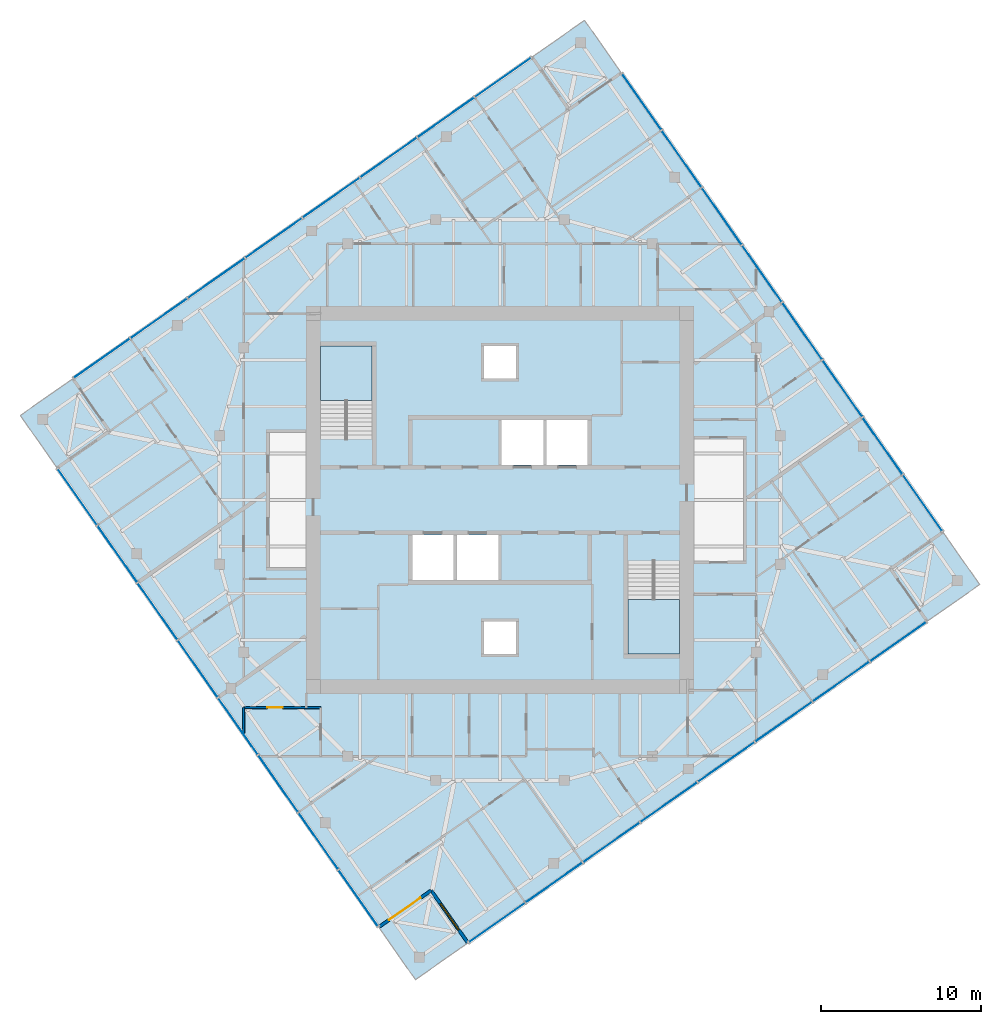
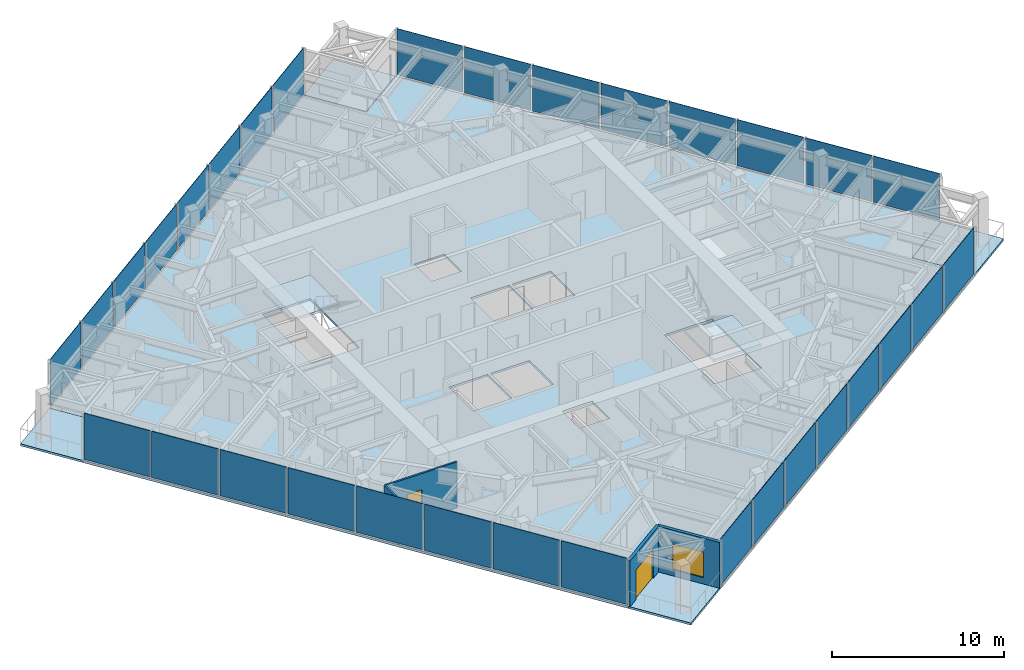
# One storey, part 6 of 12: 32 plates, 7 slabs, 4 walls, 2 doors, 1 window, 3 openings, 6 elements without a shape of their own.
"""IFC4 building model written with IfcOpenShell, lengths in metres."""

from ifc_helpers import new_model, si_unit, direction, frame, frame_2d, origin, origin_2d, place, context, subcontext, project, spatial, polyline, rectangle, outline, extrude, material, layer, layer_set, type_object, element, fill, aggregate, save


model = new_model("IFC4")

# Units and contexts
model_context = context("Model", 3, precision=1e-05, world=origin(), true_north=direction((0.0, 1.0)))
body_context = subcontext(model_context, "Body", "Model", "MODEL_VIEW")
ifc_project = project(units=[si_unit("LENGTHUNIT", "METRE"), si_unit("AREAUNIT", "SQUARE_METRE"), si_unit("VOLUMEUNIT", "CUBIC_METRE"), si_unit("PLANEANGLEUNIT", "RADIAN"), si_unit("MASSUNIT", "GRAM", prefix="KILO")], contexts=[model_context])

# Site, building, storey
site_placement = place(None, origin())
site = spatial("IfcSite", under=ifc_project, at=site_placement, CompositionType="ELEMENT")
building_placement = place(site_placement, origin())
building = spatial("IfcBuilding", under=site, at=building_placement, Name="Torsade Residences", CompositionType="ELEMENT")
storey_placement = place(building_placement, frame((0.0, 0.0, 250.60009765625)))
storey = spatial("IfcBuildingStorey", under=building, at=storey_placement, Name="L69", CompositionType="ELEMENT", Elevation=250.60009765625)

# Slab
ifc_material_1 = material(Name="Concrete 40 MPa", Category="concrete")
ifc_layer_1 = layer(ifc_material_1, 0.14990234375)
ifc_layer_set_1 = layer_set([ifc_layer_1], Name="Concrete 40 MPa")
slab_type_1 = type_object("IfcSlabType", Name="COMPOSITE FLOOR SLAB 150", PredefinedType="FLOOR", material=ifc_layer_set_1)
slab_1_placement = place(storey_placement, frame((0.0, 0.0, -0.150146484375)))
element("IfcSlab", 1, at=slab_1_placement, inside=storey, type_object=slab_type_1, Name="Floor slab L69", PredefinedType="FLOOR", context=body_context, shape_type="SweptSolid", body=[
    extrude(outline(polyline([(37.996826171875, 2.3505859375), (66.6669921875, 22.42578125), (64.372802734375, 25.702392578125), (67.6494140625, 27.996826171875), (47.57421875, 56.6669921875), (44.297607421875, 54.372802734375), (42.003173828125, 57.6494140625), (13.3330078125, 37.57421875), (15.627197265625, 34.297607421875), (12.3505859375, 32.003173828125), (32.42578125, 3.3330078125), (35.702392578125, 5.627197265625), (37.996826171875, 2.3505859375)]), holes=[polyline([(51.199951171875, 26.1201171875), (48.0, 26.1201171875), (48.0, 20.39990234375), (51.199951171875, 20.39990234375), (51.199951171875, 26.1201171875)]), polyline([(45.5, 35.0), (42.89990234375, 35.0), (42.89990234375, 32.199951171875), (45.5, 32.199951171875), (45.5, 35.0)]), polyline([(42.699951171875, 35.0), (40.10009765625, 35.0), (40.10009765625, 32.199951171875), (42.699951171875, 32.199951171875), (42.699951171875, 35.0)]), polyline([(41.0, 22.39990234375), (39.0, 22.39990234375), (39.0, 20.39990234375), (41.0, 20.39990234375), (41.0, 22.39990234375)]), polyline([(41.0, 39.60009765625), (39.0, 39.60009765625), (39.0, 37.60009765625), (41.0, 37.60009765625), (41.0, 39.60009765625)]), polyline([(39.89990234375, 27.800048828125), (37.300048828125, 27.800048828125), (37.300048828125, 25.0), (39.89990234375, 25.0), (39.89990234375, 27.800048828125)]), polyline([(37.10009765625, 27.800048828125), (34.5, 27.800048828125), (34.5, 25.0), (37.10009765625, 25.0), (37.10009765625, 27.800048828125)]), polyline([(32.0, 39.60009765625), (28.800048828125, 39.60009765625), (28.800048828125, 33.8798828125), (32.0, 33.8798828125), (32.0, 39.60009765625)])]), origin(), (0.0, 0.0, 1.0), 0.150146484375),
])

# Curtain wall, plates
ifc_material_2 = material(Name="Aluminium and glass", Category="aluminium")
curtain_wall_type = type_object("IfcCurtainWallType", Name="FRITTED GLASS CURTAIN WALL HIGH ZONE", PredefinedType="NOTDEFINED", material=ifc_material_2)
curtain_wall_1_placement = place(storey_placement, origin())
curtain_wall_1 = element("IfcCurtainWall", 2, at=curtain_wall_1_placement, inside=storey, type_object=curtain_wall_type, Name="Curtain wall L69 face 1", PredefinedType="NOTDEFINED")
ifc_material_3 = material(Name="Laminated glass", Category="glass")
ifc_layer_2 = layer(ifc_material_3, 0.031982421875)
ifc_layer_set_2 = layer_set([ifc_layer_2], Name="Laminated glass")
plate_type_1 = type_object("IfcPlateType", Name="FRITTED GLASS PANEL", PredefinedType="CURTAIN_PANEL", material=ifc_layer_set_2)
plate_1_placement = place(storey_placement, frame((39.80908203125, 3.61962890625, 0.1201171875), z_axis=(0.0, 0.0, 1.0), x_axis=(0.819152029353, 0.573576457682, 0.0)))
plate_1 = element("IfcPlate", 3, at=plate_1_placement, type_object=plate_type_1, Name="Panel 1", PredefinedType="CURTAIN_PANEL", context=body_context, shape_type="SweptSolid", body=[
    extrude(rectangle(XDim=4.22509765625, YDim=0.031982421875, at=origin_2d()), origin(), (0.0, 0.0, 1.0), 3.280029296875),
])
plate_2_placement = place(storey_placement, frame((46.956298828125, 8.6240234375, 0.1201171875), z_axis=(0.0, 0.0, 1.0), x_axis=(0.819152029353, 0.573576457682, 0.0)))
plate_2 = element("IfcPlate", 4, at=plate_2_placement, type_object=plate_type_1, Name="Panel 3", PredefinedType="CURTAIN_PANEL", context=body_context, shape_type="SweptSolid", body=[
    extrude(rectangle(XDim=4.27490234375, YDim=0.031982421875, at=origin_2d()), origin(), (0.0, 0.0, 1.0), 3.280029296875),
])
plate_3_placement = place(storey_placement, frame((50.5400390625, 11.133544921875, 0.1201171875), z_axis=(0.0, 0.0, 1.0), x_axis=(0.819152029353, 0.573576457682, 0.0)))
plate_3 = element("IfcPlate", 5, at=plate_3_placement, type_object=plate_type_1, Name="Panel 4", PredefinedType="CURTAIN_PANEL", context=body_context, shape_type="SweptSolid", body=[
    extrude(rectangle(XDim=4.27490234375, YDim=0.031982421875, at=origin_2d()), origin(), (0.0, 0.0, 1.0), 3.280029296875),
])
plate_4_placement = place(storey_placement, frame((54.123779296875, 13.642822265625, 0.1201171875), z_axis=(0.0, 0.0, 1.0), x_axis=(0.819152029353, 0.573576457682, 0.0)))
plate_4 = element("IfcPlate", 6, at=plate_4_placement, type_object=plate_type_1, Name="Panel 5", PredefinedType="CURTAIN_PANEL", context=body_context, shape_type="SweptSolid", body=[
    extrude(rectangle(XDim=4.27490234375, YDim=0.031982421875, at=origin_2d()), origin(), (0.0, 0.0, 1.0), 3.280029296875),
])
plate_5_placement = place(storey_placement, frame((61.291259765625, 18.66162109375, 0.1201171875), z_axis=(0.0, 0.0, 1.0), x_axis=(0.819152029353, 0.573576457682, 0.0)))
plate_5 = element("IfcPlate", 7, at=plate_5_placement, type_object=plate_type_1, Name="Panel 7", PredefinedType="CURTAIN_PANEL", context=body_context, shape_type="SweptSolid", body=[
    extrude(rectangle(XDim=4.27490234375, YDim=0.031982421875, at=origin_2d()), origin(), (0.0, 0.0, 1.0), 3.280029296875),
])
plate_6_placement = place(storey_placement, frame((64.854736328125, 21.15673828125, 0.1201171875), z_axis=(0.0, 0.0, 1.0), x_axis=(0.819152029353, 0.573576457682, 0.0)))
plate_6 = element("IfcPlate", 8, at=plate_6_placement, type_object=plate_type_1, Name="Panel 8", PredefinedType="CURTAIN_PANEL", context=body_context, shape_type="SweptSolid", body=[
    extrude(rectangle(XDim=4.22509765625, YDim=0.031982421875, at=origin_2d()), origin(), (0.0, 0.0, 1.0), 3.280029296875),
])

curtain_wall_2_placement = place(storey_placement, origin())
curtain_wall_2 = element("IfcCurtainWall", 9, at=curtain_wall_2_placement, inside=storey, type_object=curtain_wall_type, Name="Curtain wall L69 face 4", PredefinedType="NOTDEFINED")
plate_7_placement = place(storey_placement, frame((66.38037109375, 29.80908203125, 0.1201171875), z_axis=(0.0, 0.0, 1.0), x_axis=(-0.573576457682, 0.819152029353, 0.0)))
plate_7 = element("IfcPlate", 10, at=plate_7_placement, type_object=plate_type_1, Name="Panel 1", PredefinedType="CURTAIN_PANEL", context=body_context, shape_type="SweptSolid", body=[
    extrude(rectangle(XDim=4.22509765625, YDim=0.031982421875, at=origin_2d()), origin(), (0.0, 0.0, 1.0), 3.280029296875),
])
plate_8_placement = place(storey_placement, frame((61.3759765625, 36.956298828125, 0.1201171875), z_axis=(0.0, 0.0, 1.0), x_axis=(-0.573576457682, 0.819152029353, 0.0)))
plate_8 = element("IfcPlate", 11, at=plate_8_placement, type_object=plate_type_1, Name="Panel 3", PredefinedType="CURTAIN_PANEL", context=body_context, shape_type="SweptSolid", body=[
    extrude(rectangle(XDim=4.27490234375, YDim=0.031982421875, at=origin_2d()), origin(), (0.0, 0.0, 1.0), 3.280029296875),
])
plate_9_placement = place(storey_placement, frame((58.866455078125, 40.5400390625, 0.1201171875), z_axis=(0.0, 0.0, 1.0), x_axis=(-0.573576457682, 0.819152029353, 0.0)))
plate_9 = element("IfcPlate", 12, at=plate_9_placement, type_object=plate_type_1, Name="Panel 4", PredefinedType="CURTAIN_PANEL", context=body_context, shape_type="SweptSolid", body=[
    extrude(rectangle(XDim=4.27490234375, YDim=0.031982421875, at=origin_2d()), origin(), (0.0, 0.0, 1.0), 3.280029296875),
])
plate_10_placement = place(storey_placement, frame((56.357177734375, 44.123779296875, 0.1201171875), z_axis=(0.0, 0.0, 1.0), x_axis=(-0.573576457682, 0.819152029353, 0.0)))
plate_10 = element("IfcPlate", 13, at=plate_10_placement, type_object=plate_type_1, Name="Panel 5", PredefinedType="CURTAIN_PANEL", context=body_context, shape_type="SweptSolid", body=[
    extrude(rectangle(XDim=4.27490234375, YDim=0.031982421875, at=origin_2d()), origin(), (0.0, 0.0, 1.0), 3.280029296875),
])
plate_11_placement = place(storey_placement, frame((51.33837890625, 51.291259765625, 0.1201171875), z_axis=(0.0, 0.0, 1.0), x_axis=(-0.573576457682, 0.819152029353, 0.0)))
plate_11 = element("IfcPlate", 14, at=plate_11_placement, type_object=plate_type_1, Name="Panel 7", PredefinedType="CURTAIN_PANEL", context=body_context, shape_type="SweptSolid", body=[
    extrude(rectangle(XDim=4.27490234375, YDim=0.031982421875, at=origin_2d()), origin(), (0.0, 0.0, 1.0), 3.280029296875),
])
plate_12_placement = place(storey_placement, frame((48.84326171875, 54.854736328125, 0.1201171875), z_axis=(0.0, 0.0, 1.0), x_axis=(-0.573576457682, 0.819152029353, 0.0)))
plate_12 = element("IfcPlate", 15, at=plate_12_placement, type_object=plate_type_1, Name="Panel 8", PredefinedType="CURTAIN_PANEL", context=body_context, shape_type="SweptSolid", body=[
    extrude(rectangle(XDim=4.22509765625, YDim=0.031982421875, at=origin_2d()), origin(), (0.0, 0.0, 1.0), 3.280029296875),
])

curtain_wall_3_placement = place(storey_placement, origin())
curtain_wall_3 = element("IfcCurtainWall", 16, at=curtain_wall_3_placement, inside=storey, type_object=curtain_wall_type, Name="Curtain wall L69 face 7", PredefinedType="NOTDEFINED")
plate_13_placement = place(storey_placement, frame((40.19091796875, 56.38037109375, 0.1201171875), z_axis=(0.0, 0.0, 1.0), x_axis=(-0.819152029353, -0.573576457682, 0.0)))
plate_13 = element("IfcPlate", 17, at=plate_13_placement, type_object=plate_type_1, Name="Panel 1", PredefinedType="CURTAIN_PANEL", context=body_context, shape_type="SweptSolid", body=[
    extrude(rectangle(XDim=4.22509765625, YDim=0.031982421875, at=origin_2d()), origin(), (0.0, 0.0, 1.0), 3.280029296875),
])
plate_14_placement = place(storey_placement, frame((33.043701171875, 51.3759765625, 0.1201171875), z_axis=(0.0, 0.0, 1.0), x_axis=(-0.819152029353, -0.573576457682, 0.0)))
plate_14 = element("IfcPlate", 18, at=plate_14_placement, type_object=plate_type_1, Name="Panel 3", PredefinedType="CURTAIN_PANEL", context=body_context, shape_type="SweptSolid", body=[
    extrude(rectangle(XDim=4.27490234375, YDim=0.031982421875, at=origin_2d()), origin(), (0.0, 0.0, 1.0), 3.280029296875),
])
plate_15_placement = place(storey_placement, frame((29.4599609375, 48.866455078125, 0.1201171875), z_axis=(0.0, 0.0, 1.0), x_axis=(-0.819152029353, -0.573576457682, 0.0)))
plate_15 = element("IfcPlate", 19, at=plate_15_placement, type_object=plate_type_1, Name="Panel 4", PredefinedType="CURTAIN_PANEL", context=body_context, shape_type="SweptSolid", body=[
    extrude(rectangle(XDim=4.27490234375, YDim=0.031982421875, at=origin_2d()), origin(), (0.0, 0.0, 1.0), 3.280029296875),
])
plate_16_placement = place(storey_placement, frame((25.876220703125, 46.357177734375, 0.1201171875), z_axis=(0.0, 0.0, 1.0), x_axis=(-0.819152029353, -0.573576457682, 0.0)))
plate_16 = element("IfcPlate", 20, at=plate_16_placement, type_object=plate_type_1, Name="Panel 5", PredefinedType="CURTAIN_PANEL", context=body_context, shape_type="SweptSolid", body=[
    extrude(rectangle(XDim=4.27490234375, YDim=0.031982421875, at=origin_2d()), origin(), (0.0, 0.0, 1.0), 3.280029296875),
])
plate_17_placement = place(storey_placement, frame((18.708740234375, 41.33837890625, 0.1201171875), z_axis=(0.0, 0.0, 1.0), x_axis=(-0.819152029353, -0.573576457682, 0.0)))
plate_17 = element("IfcPlate", 21, at=plate_17_placement, type_object=plate_type_1, Name="Panel 7", PredefinedType="CURTAIN_PANEL", context=body_context, shape_type="SweptSolid", body=[
    extrude(rectangle(XDim=4.27490234375, YDim=0.031982421875, at=origin_2d()), origin(), (0.0, 0.0, 1.0), 3.280029296875),
])
plate_18_placement = place(storey_placement, frame((15.145263671875, 38.84326171875, 0.1201171875), z_axis=(0.0, 0.0, 1.0), x_axis=(-0.819152029353, -0.573576457682, 0.0)))
plate_18 = element("IfcPlate", 22, at=plate_18_placement, type_object=plate_type_1, Name="Panel 8", PredefinedType="CURTAIN_PANEL", context=body_context, shape_type="SweptSolid", body=[
    extrude(rectangle(XDim=4.22509765625, YDim=0.031982421875, at=origin_2d()), origin(), (0.0, 0.0, 1.0), 3.280029296875),
])

curtain_wall_4_placement = place(storey_placement, origin())
curtain_wall_4 = element("IfcCurtainWall", 23, at=curtain_wall_4_placement, inside=storey, type_object=curtain_wall_type, Name="Curtain wall L69 face 10", PredefinedType="NOTDEFINED")
plate_19_placement = place(storey_placement, frame((13.61962890625, 30.19091796875, 0.1201171875), z_axis=(0.0, 0.0, 1.0), x_axis=(0.573576457682, -0.819152029353, 0.0)))
plate_19 = element("IfcPlate", 24, at=plate_19_placement, type_object=plate_type_1, Name="Panel 1", PredefinedType="CURTAIN_PANEL", context=body_context, shape_type="SweptSolid", body=[
    extrude(rectangle(XDim=4.22509765625, YDim=0.031982421875, at=origin_2d()), origin(), (0.0, 0.0, 1.0), 3.280029296875),
])
plate_20_placement = place(storey_placement, frame((18.6240234375, 23.043701171875, 0.1201171875), z_axis=(0.0, 0.0, 1.0), x_axis=(0.573576457682, -0.819152029353, 0.0)))
plate_20 = element("IfcPlate", 25, at=plate_20_placement, type_object=plate_type_1, Name="Panel 3", PredefinedType="CURTAIN_PANEL", context=body_context, shape_type="SweptSolid", body=[
    extrude(rectangle(XDim=4.27490234375, YDim=0.031982421875, at=origin_2d()), origin(), (0.0, 0.0, 1.0), 3.280029296875),
])
plate_21_placement = place(storey_placement, frame((21.133544921875, 19.4599609375, 0.1201171875), z_axis=(0.0, 0.0, 1.0), x_axis=(0.573576457682, -0.819152029353, 0.0)))
plate_21 = element("IfcPlate", 26, at=plate_21_placement, type_object=plate_type_1, Name="Panel 4", PredefinedType="CURTAIN_PANEL", context=body_context, shape_type="SweptSolid", body=[
    extrude(rectangle(XDim=4.27490234375, YDim=0.031982421875, at=origin_2d()), origin(), (0.0, 0.0, 1.0), 3.280029296875),
])
plate_22_placement = place(storey_placement, frame((23.642822265625, 15.876220703125, 0.1201171875), z_axis=(0.0, 0.0, 1.0), x_axis=(0.573576457682, -0.819152029353, 0.0)))
plate_22 = element("IfcPlate", 27, at=plate_22_placement, type_object=plate_type_1, Name="Panel 5", PredefinedType="CURTAIN_PANEL", context=body_context, shape_type="SweptSolid", body=[
    extrude(rectangle(XDim=4.27490234375, YDim=0.031982421875, at=origin_2d()), origin(), (0.0, 0.0, 1.0), 3.280029296875),
])
plate_23_placement = place(storey_placement, frame((28.66162109375, 8.708740234375, 0.1201171875), z_axis=(0.0, 0.0, 1.0), x_axis=(0.573576457682, -0.819152029353, 0.0)))
plate_23 = element("IfcPlate", 28, at=plate_23_placement, type_object=plate_type_1, Name="Panel 7", PredefinedType="CURTAIN_PANEL", context=body_context, shape_type="SweptSolid", body=[
    extrude(rectangle(XDim=4.27490234375, YDim=0.031982421875, at=origin_2d()), origin(), (0.0, 0.0, 1.0), 3.280029296875),
])
plate_24_placement = place(storey_placement, frame((31.15673828125, 5.145263671875, 0.1201171875), z_axis=(0.0, 0.0, 1.0), x_axis=(0.573576457682, -0.819152029353, 0.0)))
plate_24 = element("IfcPlate", 29, at=plate_24_placement, type_object=plate_type_1, Name="Panel 8", PredefinedType="CURTAIN_PANEL", context=body_context, shape_type="SweptSolid", body=[
    extrude(rectangle(XDim=4.22509765625, YDim=0.031982421875, at=origin_2d()), origin(), (0.0, 0.0, 1.0), 3.280029296875),
])

# Plate
ifc_material_4 = material(Name="Laminated glass", Category="glass")
ifc_layer_3 = layer(ifc_material_4, 0.0400390625)
ifc_layer_set_3 = layer_set([ifc_layer_3], Name="Laminated glass")
plate_type_2 = type_object("IfcPlateType", Name="OPERABLE VENT PANEL", PredefinedType="CURTAIN_PANEL", material=ifc_layer_set_3)
plate_25_placement = place(storey_placement, frame((43.372314453125, 6.11474609375, 0.1201171875), z_axis=(0.0, 0.0, 1.0), x_axis=(0.819152029353, 0.573576457682, 0.0)))
plate_25 = element("IfcPlate", 30, at=plate_25_placement, type_object=plate_type_2, Name="Panel 2", PredefinedType="CURTAIN_PANEL", context=body_context, shape_type="SweptSolid", body=[
    extrude(rectangle(XDim=4.27490234375, YDim=0.0400390625, at=origin_2d()), origin(), (0.0, 0.0, 1.0), 3.280029296875),
])

plate_26_placement = place(storey_placement, frame((57.70751953125, 16.15234375, 0.1201171875), z_axis=(0.0, 0.0, 1.0), x_axis=(0.819152029353, 0.573576457682, 0.0)))
plate_26 = element("IfcPlate", 31, at=plate_26_placement, type_object=plate_type_2, Name="Panel 6", PredefinedType="CURTAIN_PANEL", context=body_context, shape_type="SweptSolid", body=[
    extrude(rectangle(XDim=4.27490234375, YDim=0.0400390625, at=origin_2d()), origin(), (0.0, 0.0, 1.0), 3.280029296875),
])

aggregate(curtain_wall_1, [plate_1, plate_25, plate_2, plate_3, plate_4, plate_26, plate_5, plate_6])

plate_27_placement = place(storey_placement, frame((63.88525390625, 33.372314453125, 0.1201171875), z_axis=(0.0, 0.0, 1.0), x_axis=(-0.573576457682, 0.819152029353, 0.0)))
plate_27 = element("IfcPlate", 32, at=plate_27_placement, type_object=plate_type_2, Name="Panel 2", PredefinedType="CURTAIN_PANEL", context=body_context, shape_type="SweptSolid", body=[
    extrude(rectangle(XDim=4.27490234375, YDim=0.0400390625, at=origin_2d()), origin(), (0.0, 0.0, 1.0), 3.280029296875),
])

plate_28_placement = place(storey_placement, frame((53.84765625, 47.70751953125, 0.1201171875), z_axis=(0.0, 0.0, 1.0), x_axis=(-0.573576457682, 0.819152029353, 0.0)))
plate_28 = element("IfcPlate", 33, at=plate_28_placement, type_object=plate_type_2, Name="Panel 6", PredefinedType="CURTAIN_PANEL", context=body_context, shape_type="SweptSolid", body=[
    extrude(rectangle(XDim=4.27490234375, YDim=0.0400390625, at=origin_2d()), origin(), (0.0, 0.0, 1.0), 3.280029296875),
])

aggregate(curtain_wall_2, [plate_7, plate_27, plate_8, plate_9, plate_10, plate_28, plate_11, plate_12])

plate_29_placement = place(storey_placement, frame((36.627685546875, 53.88525390625, 0.1201171875), z_axis=(0.0, 0.0, 1.0), x_axis=(-0.819152029353, -0.573576457682, 0.0)))
plate_29 = element("IfcPlate", 34, at=plate_29_placement, type_object=plate_type_2, Name="Panel 2", PredefinedType="CURTAIN_PANEL", context=body_context, shape_type="SweptSolid", body=[
    extrude(rectangle(XDim=4.27490234375, YDim=0.0400390625, at=origin_2d()), origin(), (0.0, 0.0, 1.0), 3.280029296875),
])

plate_30_placement = place(storey_placement, frame((22.29248046875, 43.84765625, 0.1201171875), z_axis=(0.0, 0.0, 1.0), x_axis=(-0.819152029353, -0.573576457682, 0.0)))
plate_30 = element("IfcPlate", 35, at=plate_30_placement, type_object=plate_type_2, Name="Panel 6", PredefinedType="CURTAIN_PANEL", context=body_context, shape_type="SweptSolid", body=[
    extrude(rectangle(XDim=4.27490234375, YDim=0.0400390625, at=origin_2d()), origin(), (0.0, 0.0, 1.0), 3.280029296875),
])

aggregate(curtain_wall_3, [plate_13, plate_29, plate_14, plate_15, plate_16, plate_30, plate_17, plate_18])

plate_31_placement = place(storey_placement, frame((16.11474609375, 26.627685546875, 0.1201171875), z_axis=(0.0, 0.0, 1.0), x_axis=(0.573576457682, -0.819152029353, 0.0)))
plate_31 = element("IfcPlate", 36, at=plate_31_placement, type_object=plate_type_2, Name="Panel 2", PredefinedType="CURTAIN_PANEL", context=body_context, shape_type="SweptSolid", body=[
    extrude(rectangle(XDim=4.27490234375, YDim=0.0400390625, at=origin_2d()), origin(), (0.0, 0.0, 1.0), 3.280029296875),
])

plate_32_placement = place(storey_placement, frame((26.15234375, 12.29248046875, 0.1201171875), z_axis=(0.0, 0.0, 1.0), x_axis=(0.573576457682, -0.819152029353, 0.0)))
plate_32 = element("IfcPlate", 37, at=plate_32_placement, type_object=plate_type_2, Name="Panel 6", PredefinedType="CURTAIN_PANEL", context=body_context, shape_type="SweptSolid", body=[
    extrude(rectangle(XDim=4.27490234375, YDim=0.0400390625, at=origin_2d()), origin(), (0.0, 0.0, 1.0), 3.280029296875),
])

aggregate(curtain_wall_4, [plate_19, plate_31, plate_20, plate_21, plate_22, plate_32, plate_23, plate_24])

# Stair, slab
ifc_material_5 = material(Name="Precast concrete 40 MPa", Category="concrete")
stair_type = type_object("IfcStairType", Name="HALF-TURN FIRE STAIR 1500x3400", PredefinedType="HALF_TURN_STAIR", material=ifc_material_5)
stair_1_placement = place(storey_placement, origin())
stair_1 = element("IfcStair", 38, at=stair_1_placement, inside=storey, type_object=stair_type, Name="Stair ST1 L69", PredefinedType="HALF_TURN_STAIR")
ifc_material_6 = material(Name="Precast concrete 40 MPa", Category="concrete")
ifc_layer_4 = layer(ifc_material_6, 0.179931640625)
ifc_layer_set_4 = layer_set([ifc_layer_4], Name="Precast concrete 40 MPa")
slab_type_2 = type_object("IfcSlabType", Name="PRECAST STAIR LANDING 180", PredefinedType="LANDING", material=ifc_layer_set_4)
slab_2_placement = place(storey_placement, frame((0.0, 0.0, 1.52001953125)))
slab_2 = element("IfcSlab", 39, at=slab_2_placement, type_object=slab_type_2, Name="ST1 landing 1", PredefinedType="LANDING", context=body_context, shape_type="SweptSolid", body=[
    extrude(outline(polyline([(28.800048828125, 36.2099609375), (32.0, 36.2099609375), (32.0, 39.60009765625), (28.800048828125, 39.60009765625), (28.800048828125, 36.2099609375)])), origin(), (0.0, 0.0, 1.0), 0.179931640625),
])
aggregate(stair_1, [slab_2])

stair_2_placement = place(storey_placement, origin())
stair_2 = element("IfcStair", 40, at=stair_2_placement, inside=storey, type_object=stair_type, Name="Stair ST2 L69", PredefinedType="HALF_TURN_STAIR")
slab_3_placement = place(storey_placement, frame((0.0, 0.0, 1.52001953125)))
slab_3 = element("IfcSlab", 41, at=slab_3_placement, type_object=slab_type_2, Name="ST2 landing 1", PredefinedType="LANDING", context=body_context, shape_type="SweptSolid", body=[
    extrude(outline(polyline([(48.0, 20.39990234375), (51.199951171875, 20.39990234375), (51.199951171875, 23.7900390625), (48.0, 23.7900390625), (48.0, 20.39990234375)])), origin(), (0.0, 0.0, 1.0), 0.179931640625),
])
aggregate(stair_2, [slab_3])

# Slabs
ifc_material_7 = material(Name="Concrete 40 MPa", Category="concrete")
ifc_layer_5 = layer(ifc_material_7, 0.14990234375)
ifc_layer_set_5 = layer_set([ifc_layer_5], Name="Concrete 40 MPa")
slab_type_3 = type_object("IfcSlabType", Name="TERRACE SLAB 150", PredefinedType="FLOOR", material=ifc_layer_set_5)
slab_4_placement = place(storey_placement, frame((0.0, 0.0, -0.150146484375)))
element("IfcSlab", 42, at=slab_4_placement, inside=storey, type_object=slab_type_3, Name="Corner terrace slab SE L69", PredefinedType="FLOOR", context=body_context, shape_type="SweptSolid", body=[
    extrude(outline(polyline([(66.6669921875, 22.42578125), (69.943603515625, 24.72021484375), (67.6494140625, 27.996826171875), (64.372802734375, 25.702392578125), (66.6669921875, 22.42578125)])), origin(), (0.0, 0.0, 1.0), 0.150146484375),
])
slab_5_placement = place(storey_placement, frame((0.0, 0.0, -0.150146484375)))
element("IfcSlab", 43, at=slab_5_placement, inside=storey, type_object=slab_type_3, Name="Corner terrace slab NE L69", PredefinedType="FLOOR", context=body_context, shape_type="SweptSolid", body=[
    extrude(outline(polyline([(44.297607421875, 54.372802734375), (47.57421875, 56.6669921875), (45.27978515625, 59.943603515625), (42.003173828125, 57.6494140625), (44.297607421875, 54.372802734375)])), origin(), (0.0, 0.0, 1.0), 0.150146484375),
])
slab_6_placement = place(storey_placement, frame((0.0, 0.0, -0.150146484375)))
element("IfcSlab", 44, at=slab_6_placement, inside=storey, type_object=slab_type_3, Name="Corner terrace slab NW L69", PredefinedType="FLOOR", context=body_context, shape_type="SweptSolid", body=[
    extrude(outline(polyline([(12.3505859375, 32.003173828125), (15.627197265625, 34.297607421875), (13.3330078125, 37.57421875), (10.056396484375, 35.27978515625), (12.3505859375, 32.003173828125)])), origin(), (0.0, 0.0, 1.0), 0.150146484375),
])
slab_7_placement = place(storey_placement, frame((0.0, 0.0, -0.150146484375)))
element("IfcSlab", 45, at=slab_7_placement, inside=storey, type_object=slab_type_3, Name="Corner terrace slab SW L69", PredefinedType="FLOOR", context=body_context, shape_type="SweptSolid", body=[
    extrude(outline(polyline([(34.72021484375, 0.056396484375), (37.996826171875, 2.3505859375), (35.702392578125, 5.627197265625), (32.42578125, 3.3330078125), (34.72021484375, 0.056396484375)])), origin(), (0.0, 0.0, 1.0), 0.150146484375),
])

# Wall, opening, door
ifc_material_8 = material(Name="Plasterboard on steel stud", Category="steel")
ifc_layer_6 = layer(ifc_material_8, 0.1201171875)
ifc_layer_set_6 = layer_set([ifc_layer_6], Name="Plasterboard on steel stud")
wall_type_1 = type_object("IfcWallType", Name="PARTITION 120", PredefinedType="PARTITIONING", material=ifc_layer_set_6)
wall_1_placement = place(storey_placement, frame((28.80712890625, 17.041259765625, 0.0), z_axis=(0.0, 0.0, 1.0), x_axis=(-1.0, 0.0, 0.0)))
wall_1 = element("IfcWall", 46, at=wall_1_placement, inside=storey, type_object=wall_type_1, Name="Partition L69", PredefinedType="PARTITIONING", context=body_context, shape_type="SweptSolid", body=[
    extrude(rectangle(XDim=4.80712890625, YDim=0.1201171875, at=frame_2d((2.403564453125, 0.0))), origin(), (0.0, 0.0, 1.0), 3.25),
])
opening_1_placement = place(wall_1_placement, frame((2.377197265625, 0.0, 0.0)))
opening_1 = element("IfcOpeningElement", 47, at=opening_1_placement, cuts=wall_1, Name="Opening D05", PredefinedType="OPENING", context=body_context, shape_type="SweptSolid", body=[
    extrude(rectangle(XDim=0.9599609375, YDim=2.10009765625, at=frame_2d((0.47998046875, 1.050048828125))), frame((0.0, 0.070068359375, 0.0), z_axis=(0.0, -1.0, 0.0), x_axis=(1.0, 0.0, 0.0)), (0.0, 0.0, 1.0), 0.14013671875),
])
ifc_material_9 = material(Name="Hollow-core timber door in a steel cavity frame", Category="steel")
door_type_1 = type_object("IfcDoorType", Name="BATHROOM CAVITY SLIDING DOOR 960", OperationType="SLIDING_TO_LEFT", PredefinedType="DOOR", material=ifc_material_9)
door_1_placement = place(opening_1_placement, origin())
door_1 = element("IfcDoor", 48, at=door_1_placement, inside=storey, type_object=door_type_1, Name="Door Dressing room to Bathroom", OperationType="SLIDING_TO_LEFT", OverallHeight=2.10009765625, OverallWidth=0.9599609375, PredefinedType="DOOR", context=body_context, shape_type="SweptSolid", body=[
    extrude(rectangle(XDim=0.9599609375, YDim=2.10009765625, at=frame_2d((0.47998046875, 1.050048828125))), frame((0.0, 0.02490234375, 0.0), z_axis=(0.0, -1.0, 0.0), x_axis=(1.0, 0.0, 0.0)), (0.0, 0.0, 1.0), 0.050048828125),
])
fill(opening_1, door_1)

# Wall
wall_2_placement = place(storey_placement, frame((24.0, 17.041259765625, 0.0), z_axis=(0.0, 0.0, 1.0), x_axis=(0.0, -1.0, 0.0)))
element("IfcWall", 49, at=wall_2_placement, inside=storey, type_object=wall_type_1, Name="Partition L69", PredefinedType="PARTITIONING", context=body_context, shape_type="SweptSolid", body=[
    extrude(rectangle(XDim=1.605224609375, YDim=0.1201171875, at=frame_2d((0.802734375, 0.0))), origin(), (0.0, 0.0, 1.0), 3.25),
])

# Wall, opening, door
ifc_material_10 = material(Name="Stone-faced precast concrete 40 MPa panel", Category="masonry")
ifc_layer_7 = layer(ifc_material_10, 0.199951171875)
ifc_layer_set_7 = layer_set([ifc_layer_7], Name="Stone-faced precast concrete 40 MPa panel")
wall_type_2 = type_object("IfcWallType", Name="TERRACE WALL 200", PredefinedType="SOLIDWALL", material=ifc_layer_set_7)
wall_3_placement = place(storey_placement, frame((32.42578125, 3.3330078125, 0.0), z_axis=(0.0, 0.0, 1.0), x_axis=(0.819165963305, 0.573556557423, 0.0)))
wall_3 = element("IfcWall", 50, at=wall_3_placement, inside=storey, type_object=wall_type_2, Name="Terrace wall L69 11", PredefinedType="SOLIDWALL", context=body_context, shape_type="SweptSolid", body=[
    extrude(rectangle(XDim=4.0, YDim=0.199951171875, at=frame_2d((2.0, 0.0))), origin(), (0.0, 0.0, 1.0), 3.25),
])
opening_2_placement = place(wall_3_placement, frame((0.800048828125, 0.0, 0.0)))
opening_2 = element("IfcOpeningElement", 51, at=opening_2_placement, cuts=wall_3, Name="Opening D10A", PredefinedType="OPENING", context=body_context, shape_type="SweptSolid", body=[
    extrude(rectangle(XDim=2.39990234375, YDim=2.10009765625, at=frame_2d((1.199951171875, 1.050048828125))), frame((0.0, 0.10986328125, 0.0), z_axis=(0.0, -1.0, 0.0), x_axis=(1.0, 0.0, 0.0)), (0.0, 0.0, 1.0), 0.219970703125),
])
ifc_material_11 = material(Name="Aluminium-framed glass door", Category="aluminium")
door_type_2 = type_object("IfcDoorType", Name="TERRACE SLIDING DOOR 2400x2100", OperationType="SLIDING_TO_LEFT", PredefinedType="DOOR", material=ifc_material_11)
door_2_placement = place(opening_2_placement, origin())
door_2 = element("IfcDoor", 52, at=door_2_placement, inside=storey, type_object=door_type_2, Name="Terrace door L69 11", OperationType="SLIDING_TO_LEFT", OverallHeight=2.10009765625, OverallWidth=2.39990234375, PredefinedType="DOOR", context=body_context, shape_type="SweptSolid", body=[
    extrude(rectangle(XDim=2.39990234375, YDim=2.10009765625, at=frame_2d((1.199951171875, 1.050048828125))), frame((0.0, 0.02490234375, 0.0), z_axis=(0.0, -1.0, 0.0), x_axis=(1.0, 0.0, 0.0)), (0.0, 0.0, 1.0), 0.050048828125),
])
fill(opening_2, door_2)

# Wall, opening, window
wall_4_placement = place(storey_placement, frame((35.702392578125, 5.627197265625, 0.0), z_axis=(0.0, 0.0, 1.0), x_axis=(0.573597512525, -0.819137286189, 0.0)))
wall_4 = element("IfcWall", 53, at=wall_4_placement, inside=storey, type_object=wall_type_2, Name="Terrace wall L69 12", PredefinedType="SOLIDWALL", context=body_context, shape_type="SweptSolid", body=[
    extrude(rectangle(XDim=4.0, YDim=0.199951171875, at=frame_2d((2.0, 0.0))), origin(), (0.0, 0.0, 1.0), 3.25),
])
opening_3_placement = place(wall_4_placement, frame((1.0, 0.0, 0.449951171875)))
opening_3 = element("IfcOpeningElement", 54, at=opening_3_placement, cuts=wall_4, Name="Opening W1B", PredefinedType="OPENING", context=body_context, shape_type="SweptSolid", body=[
    extrude(rectangle(XDim=2.0, YDim=1.800048828125, at=frame_2d((1.0, 0.89990234375))), frame((0.0, 0.10986328125, 0.0), z_axis=(0.0, -1.0, 0.0), x_axis=(1.0, 0.0, 0.0)), (0.0, 0.0, 1.0), 0.219970703125),
])
ifc_material_12 = material(Name="Aluminium-framed glass window", Category="aluminium")
window_type = type_object("IfcWindowType", Name="TERRACE WINDOW 2000x1800", PartitioningType="SINGLE_PANEL", PredefinedType="WINDOW", material=ifc_material_12)
window_placement = place(opening_3_placement, origin())
window = element("IfcWindow", 55, at=window_placement, inside=storey, type_object=window_type, Name="Terrace window L69 12", OverallHeight=1.800048828125, OverallWidth=2.0, PartitioningType="SINGLE_PANEL", PredefinedType="WINDOW", context=body_context, shape_type="SweptSolid", body=[
    extrude(rectangle(XDim=2.0, YDim=1.800048828125, at=frame_2d((1.0, 0.89990234375))), frame((0.0, 0.030029296875, 0.0), z_axis=(0.0, -1.0, 0.0), x_axis=(1.0, 0.0, 0.0)), (0.0, 0.0, 1.0), 0.06005859375),
])
fill(opening_3, window)

save(model, "model.ifc")
